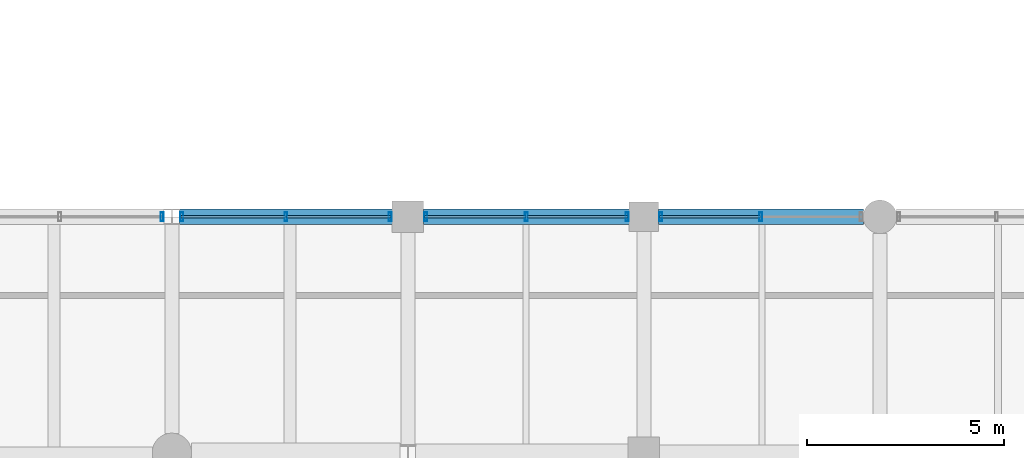
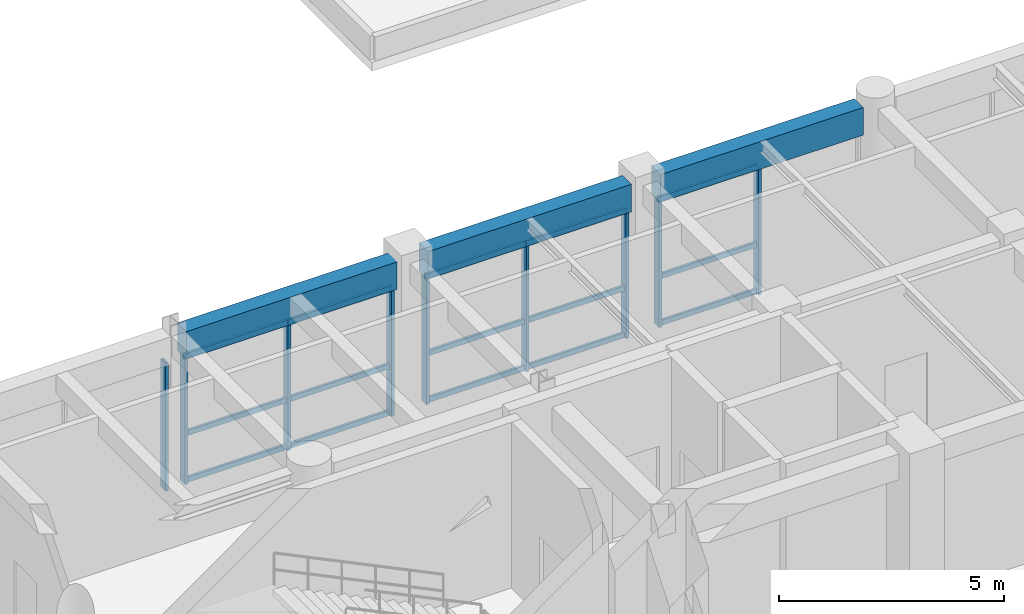
# One storey, part 36 of 133: 24 members, 3 beams, 4 elements without a shape of their own.
"""IFC4 building model written with IfcOpenShell, lengths in metres."""

from ifc_helpers import new_model, si_unit, direction, frame, origin, origin_2d, place, context, subcontext, project, spatial, rectangle, hollow_rectangle, extrude, material, material_profile, profile_set, type_object, element, aggregate, save


model = new_model("IFC4")

# Units and contexts
model_context = context("Model", 3, precision=1e-05, world=origin(), true_north=direction((0.0, 1.0)))
body_context = subcontext(model_context, "Body", "Model", "MODEL_VIEW")
ifc_project = project(units=[si_unit("LENGTHUNIT", "METRE"), si_unit("AREAUNIT", "SQUARE_METRE"), si_unit("VOLUMEUNIT", "CUBIC_METRE"), si_unit("PLANEANGLEUNIT", "RADIAN"), si_unit("MASSUNIT", "GRAM", prefix="KILO"), si_unit("THERMODYNAMICTEMPERATUREUNIT", "KELVIN"), si_unit("POWERUNIT", "WATT")], contexts=[model_context])

# Site, building, storey
site_placement = place(None, origin())
site = spatial("IfcSite", under=ifc_project, at=site_placement, CompositionType="ELEMENT")
building_placement = place(site_placement, origin())
building = spatial("IfcBuilding", under=site, at=building_placement, Name="Phaisarnlok Congress Hotel", CompositionType="ELEMENT")
storey_placement = place(building_placement, frame((0.0, 0.0, 6.0)))
storey = spatial("IfcBuildingStorey", under=building, at=storey_placement, Name="L01", CompositionType="ELEMENT", Elevation=6.0)

# Curtain wall, members
ifc_material_1 = material(Name="Thermally Broken Unitised Aluminium & Low-E Glazing", Category="aluminium")
curtain_wall_type_1 = type_object("IfcCurtainWallType", Name="CW-UNIT-15", PredefinedType="NOTDEFINED", material=ifc_material_1)
curtain_wall_1_placement = place(storey_placement, origin())
curtain_wall_1 = element("IfcCurtainWall", 1, at=curtain_wall_1_placement, inside=storey, type_object=curtain_wall_type_1, Name="Unitised curtain wall CW-15 (L01)", PredefinedType="NOTDEFINED")
ifc_material_2 = material(Name="Anodised Aluminium Alloy 6063-T6", Category="aluminium")
ifc_material_profile_1 = material_profile(ifc_material_2, hollow_rectangle(XDim=0.074951171875, YDim=0.219970703125, WallThickness=0.0048828125, at=origin_2d()), Name="ALU-M 75x220x5")
ifc_profile_set_1 = profile_set([ifc_material_profile_1], Name="Anodised Aluminium Alloy 6063-T6")
member_type_1 = type_object("IfcMemberType", Name="CWM-220", PredefinedType="MULLION", material=ifc_profile_set_1)
member_1_placement = place(storey_placement, frame((62.97509765625, 96.0, 0.0), z_axis=(0.0, 0.0, 1.0), x_axis=(-1.0, 0.0, 0.0)))
member_1 = element("IfcMember", 2, at=member_1_placement, type_object=member_type_1, Name="Curtain wall mullion CWM-02", PredefinedType="MULLION", context=body_context, shape_type="SweptSolid", body=[
    extrude(hollow_rectangle(XDim=0.074951171875, YDim=0.219970703125, WallThickness=0.0048828125, at=origin_2d()), origin(), (0.0, 0.0, 1.0), 3.469970703125),
])
member_2_placement = place(storey_placement, frame((60.425048828125, 96.0, 0.0), z_axis=(0.0, 0.0, 1.0), x_axis=(-1.0, 0.0, 0.0)))
member_2 = element("IfcMember", 3, at=member_2_placement, type_object=member_type_1, Name="Curtain wall mullion CWM-02", PredefinedType="MULLION", context=body_context, shape_type="SweptSolid", body=[
    extrude(hollow_rectangle(XDim=0.074951171875, YDim=0.219970703125, WallThickness=0.0048828125, at=origin_2d()), origin(), (0.0, 0.0, 1.0), 3.469970703125),
])

curtain_wall_2_placement = place(storey_placement, origin())
curtain_wall_2 = element("IfcCurtainWall", 4, at=curtain_wall_2_placement, inside=storey, type_object=curtain_wall_type_1, Name="Unitised curtain wall CW-15 (L01)", PredefinedType="NOTDEFINED")
member_3_placement = place(storey_placement, frame((59.574951171875, 96.0, 0.0), z_axis=(0.0, 0.0, 1.0), x_axis=(-1.0, 0.0, 0.0)))
member_3 = element("IfcMember", 5, at=member_3_placement, type_object=member_type_1, Name="Curtain wall mullion CWM-02", PredefinedType="MULLION", context=body_context, shape_type="SweptSolid", body=[
    extrude(hollow_rectangle(XDim=0.074951171875, YDim=0.219970703125, WallThickness=0.0048828125, at=origin_2d()), origin(), (0.0, 0.0, 1.0), 3.469970703125),
])
member_4_placement = place(storey_placement, frame((57.012451171875, 96.0, 0.0), z_axis=(0.0, 0.0, 1.0), x_axis=(-1.0, 0.0, 0.0)))
member_4 = element("IfcMember", 6, at=member_4_placement, type_object=member_type_1, Name="Curtain wall mullion CWM-02", PredefinedType="MULLION", context=body_context, shape_type="SweptSolid", body=[
    extrude(hollow_rectangle(XDim=0.074951171875, YDim=0.219970703125, WallThickness=0.0048828125, at=origin_2d()), origin(), (0.0, 0.0, 1.0), 3.469970703125),
])
member_5_placement = place(storey_placement, frame((54.449951171875, 96.0, 0.0), z_axis=(0.0, 0.0, 1.0), x_axis=(-1.0, 0.0, 0.0)))
member_5 = element("IfcMember", 7, at=member_5_placement, type_object=member_type_1, Name="Curtain wall mullion CWM-02", PredefinedType="MULLION", context=body_context, shape_type="SweptSolid", body=[
    extrude(hollow_rectangle(XDim=0.074951171875, YDim=0.219970703125, WallThickness=0.0048828125, at=origin_2d()), origin(), (0.0, 0.0, 1.0), 3.469970703125),
])

curtain_wall_type_2 = type_object("IfcCurtainWallType", Name="CW-UNIT-14", PredefinedType="NOTDEFINED", material=ifc_material_1)
curtain_wall_3_placement = place(storey_placement, origin())
curtain_wall_3 = element("IfcCurtainWall", 8, at=curtain_wall_3_placement, inside=storey, type_object=curtain_wall_type_2, Name="Unitised curtain wall CW-14 (L01)", PredefinedType="NOTDEFINED")
member_6_placement = place(storey_placement, frame((53.550048828125, 96.0, 0.0), z_axis=(0.0, 0.0, 1.0), x_axis=(-1.0, 0.0, 0.0)))
member_6 = element("IfcMember", 9, at=member_6_placement, type_object=member_type_1, Name="Curtain wall mullion CWM-02", PredefinedType="MULLION", context=body_context, shape_type="SweptSolid", body=[
    extrude(hollow_rectangle(XDim=0.074951171875, YDim=0.219970703125, WallThickness=0.0048828125, at=origin_2d()), origin(), (0.0, 0.0, 1.0), 3.469970703125),
])
member_7_placement = place(storey_placement, frame((50.900146484375, 96.0, 0.0), z_axis=(0.0, 0.0, 1.0), x_axis=(-1.0, 0.0, 0.0)))
member_7 = element("IfcMember", 10, at=member_7_placement, type_object=member_type_1, Name="Curtain wall mullion CWM-02", PredefinedType="MULLION", context=body_context, shape_type="SweptSolid", body=[
    extrude(hollow_rectangle(XDim=0.074951171875, YDim=0.219970703125, WallThickness=0.0048828125, at=origin_2d()), origin(), (0.0, 0.0, 1.0), 3.469970703125),
])
member_8_placement = place(storey_placement, frame((48.25048828125, 96.0, 0.0), z_axis=(0.0, 0.0, 1.0), x_axis=(-1.0, 0.0, 0.0)))
member_8 = element("IfcMember", 11, at=member_8_placement, type_object=member_type_1, Name="Curtain wall mullion CWM-02", PredefinedType="MULLION", context=body_context, shape_type="SweptSolid", body=[
    extrude(hollow_rectangle(XDim=0.074951171875, YDim=0.219970703125, WallThickness=0.0048828125, at=origin_2d()), origin(), (0.0, 0.0, 1.0), 3.469970703125),
])

# Curtain wall, member
curtain_wall_type_3 = type_object("IfcCurtainWallType", Name="CW-UNIT-13", PredefinedType="NOTDEFINED", material=ifc_material_1)
curtain_wall_4_placement = place(storey_placement, origin())
curtain_wall_4 = element("IfcCurtainWall", 12, at=curtain_wall_4_placement, inside=storey, type_object=curtain_wall_type_3, Name="Unitised curtain wall CW-13 (L01)", PredefinedType="NOTDEFINED")
member_9_placement = place(storey_placement, frame((47.74951171875, 96.0, 0.0), z_axis=(0.0, 0.0, 1.0), x_axis=(-1.0, 0.0, 0.0)))
member_9 = element("IfcMember", 13, at=member_9_placement, type_object=member_type_1, Name="Curtain wall mullion CWM-02", PredefinedType="MULLION", context=body_context, shape_type="SweptSolid", body=[
    extrude(hollow_rectangle(XDim=0.074951171875, YDim=0.219970703125, WallThickness=0.0048828125, at=origin_2d()), origin(), (0.0, 0.0, 1.0), 3.469970703125),
])
aggregate(curtain_wall_4, [member_9])

# Member
ifc_material_profile_2 = material_profile(ifc_material_2, hollow_rectangle(XDim=0.06494140625, YDim=0.139892578125, WallThickness=0.00390625, at=origin_2d()), Name="ALU-T 65x140x4")
ifc_profile_set_2 = profile_set([ifc_material_profile_2], Name="Anodised Aluminium Alloy 6063-T6")
member_type_2 = type_object("IfcMemberType", Name="CWT-150", PredefinedType="USERDEFINED", material=ifc_profile_set_2)
member_10_placement = place(storey_placement, frame((62.9599609375, 96.0, 0.050048828125), z_axis=(-1.0, 0.0, 0.0), x_axis=(0.0, -1.0, 0.0)))
member_10 = element("IfcMember", 14, at=member_10_placement, type_object=member_type_2, Name="Curtain wall transom CWT-01", ObjectType="TRANSOM", PredefinedType="USERDEFINED", context=body_context, shape_type="SweptSolid", body=[
    extrude(hollow_rectangle(XDim=0.06494140625, YDim=0.139892578125, WallThickness=0.00390625, at=origin_2d()), origin(), (0.0, 0.0, 1.0), 2.56005859375),
])

member_11_placement = place(storey_placement, frame((62.9599609375, 96.0, 1.318603515625), z_axis=(-1.0, 0.0, 0.0), x_axis=(0.0, -1.0, 0.0)))
member_11 = element("IfcMember", 15, at=member_11_placement, type_object=member_type_2, Name="Curtain wall transom CWT-01", ObjectType="TRANSOM", PredefinedType="USERDEFINED", context=body_context, shape_type="SweptSolid", body=[
    extrude(hollow_rectangle(XDim=0.06494140625, YDim=0.139892578125, WallThickness=0.00390625, at=origin_2d()), origin(), (0.0, 0.0, 1.0), 2.56005859375),
])

member_12_placement = place(storey_placement, frame((62.9599609375, 96.0, 3.419921875), z_axis=(-1.0, 0.0, 0.0), x_axis=(0.0, -1.0, 0.0)))
member_12 = element("IfcMember", 16, at=member_12_placement, type_object=member_type_2, Name="Curtain wall transom CWT-01", ObjectType="TRANSOM", PredefinedType="USERDEFINED", context=body_context, shape_type="SweptSolid", body=[
    extrude(hollow_rectangle(XDim=0.06494140625, YDim=0.139892578125, WallThickness=0.00390625, at=origin_2d()), origin(), (0.0, 0.0, 1.0), 2.56005859375),
])

aggregate(curtain_wall_1, [member_1, member_2, member_10, member_11, member_12])

member_13_placement = place(storey_placement, frame((59.60009765625, 96.0, 0.050048828125), z_axis=(-1.0, 0.0, 0.0), x_axis=(0.0, -1.0, 0.0)))
member_13 = element("IfcMember", 17, at=member_13_placement, type_object=member_type_2, Name="Curtain wall transom CWT-01", ObjectType="TRANSOM", PredefinedType="USERDEFINED", context=body_context, shape_type="SweptSolid", body=[
    extrude(hollow_rectangle(XDim=0.06494140625, YDim=0.139892578125, WallThickness=0.00390625, at=origin_2d()), origin(), (0.0, 0.0, 1.0), 2.572509765625),
])

member_14_placement = place(storey_placement, frame((59.60009765625, 96.0, 1.318603515625), z_axis=(-1.0, 0.0, 0.0), x_axis=(0.0, -1.0, 0.0)))
member_14 = element("IfcMember", 18, at=member_14_placement, type_object=member_type_2, Name="Curtain wall transom CWT-01", ObjectType="TRANSOM", PredefinedType="USERDEFINED", context=body_context, shape_type="SweptSolid", body=[
    extrude(hollow_rectangle(XDim=0.06494140625, YDim=0.139892578125, WallThickness=0.00390625, at=origin_2d()), origin(), (0.0, 0.0, 1.0), 2.572509765625),
])

member_15_placement = place(storey_placement, frame((59.60009765625, 96.0, 3.419921875), z_axis=(-1.0, 0.0, 0.0), x_axis=(0.0, -1.0, 0.0)))
member_15 = element("IfcMember", 19, at=member_15_placement, type_object=member_type_2, Name="Curtain wall transom CWT-01", ObjectType="TRANSOM", PredefinedType="USERDEFINED", context=body_context, shape_type="SweptSolid", body=[
    extrude(hollow_rectangle(XDim=0.06494140625, YDim=0.139892578125, WallThickness=0.00390625, at=origin_2d()), origin(), (0.0, 0.0, 1.0), 2.572509765625),
])

member_16_placement = place(storey_placement, frame((56.99755859375, 96.0, 0.050048828125), z_axis=(-1.0, 0.0, 0.0), x_axis=(0.0, -1.0, 0.0)))
member_16 = element("IfcMember", 20, at=member_16_placement, type_object=member_type_2, Name="Curtain wall transom CWT-01", ObjectType="TRANSOM", PredefinedType="USERDEFINED", context=body_context, shape_type="SweptSolid", body=[
    extrude(hollow_rectangle(XDim=0.06494140625, YDim=0.139892578125, WallThickness=0.00390625, at=origin_2d()), origin(), (0.0, 0.0, 1.0), 2.572509765625),
])

member_17_placement = place(storey_placement, frame((56.99755859375, 96.0, 1.318603515625), z_axis=(-1.0, 0.0, 0.0), x_axis=(0.0, -1.0, 0.0)))
member_17 = element("IfcMember", 21, at=member_17_placement, type_object=member_type_2, Name="Curtain wall transom CWT-01", ObjectType="TRANSOM", PredefinedType="USERDEFINED", context=body_context, shape_type="SweptSolid", body=[
    extrude(hollow_rectangle(XDim=0.06494140625, YDim=0.139892578125, WallThickness=0.00390625, at=origin_2d()), origin(), (0.0, 0.0, 1.0), 2.572509765625),
])

member_18_placement = place(storey_placement, frame((56.99755859375, 96.0, 3.419921875), z_axis=(-1.0, 0.0, 0.0), x_axis=(0.0, -1.0, 0.0)))
member_18 = element("IfcMember", 22, at=member_18_placement, type_object=member_type_2, Name="Curtain wall transom CWT-01", ObjectType="TRANSOM", PredefinedType="USERDEFINED", context=body_context, shape_type="SweptSolid", body=[
    extrude(hollow_rectangle(XDim=0.06494140625, YDim=0.139892578125, WallThickness=0.00390625, at=origin_2d()), origin(), (0.0, 0.0, 1.0), 2.572509765625),
])

aggregate(curtain_wall_2, [member_3, member_4, member_5, member_13, member_14, member_15, member_16, member_17, member_18])

member_19_placement = place(storey_placement, frame((53.574951171875, 96.0, 0.050048828125), z_axis=(-1.0, 0.0, 0.0), x_axis=(0.0, -1.0, 0.0)))
member_19 = element("IfcMember", 23, at=member_19_placement, type_object=member_type_2, Name="Curtain wall transom CWT-01", ObjectType="TRANSOM", PredefinedType="USERDEFINED", context=body_context, shape_type="SweptSolid", body=[
    extrude(hollow_rectangle(XDim=0.06494140625, YDim=0.139892578125, WallThickness=0.00390625, at=origin_2d()), origin(), (0.0, 0.0, 1.0), 2.65966796875),
])

member_20_placement = place(storey_placement, frame((53.574951171875, 96.0, 1.318603515625), z_axis=(-1.0, 0.0, 0.0), x_axis=(0.0, -1.0, 0.0)))
member_20 = element("IfcMember", 24, at=member_20_placement, type_object=member_type_2, Name="Curtain wall transom CWT-01", ObjectType="TRANSOM", PredefinedType="USERDEFINED", context=body_context, shape_type="SweptSolid", body=[
    extrude(hollow_rectangle(XDim=0.06494140625, YDim=0.139892578125, WallThickness=0.00390625, at=origin_2d()), origin(), (0.0, 0.0, 1.0), 2.65966796875),
])

member_21_placement = place(storey_placement, frame((53.574951171875, 96.0, 3.419921875), z_axis=(-1.0, 0.0, 0.0), x_axis=(0.0, -1.0, 0.0)))
member_21 = element("IfcMember", 25, at=member_21_placement, type_object=member_type_2, Name="Curtain wall transom CWT-01", ObjectType="TRANSOM", PredefinedType="USERDEFINED", context=body_context, shape_type="SweptSolid", body=[
    extrude(hollow_rectangle(XDim=0.06494140625, YDim=0.139892578125, WallThickness=0.00390625, at=origin_2d()), origin(), (0.0, 0.0, 1.0), 2.65966796875),
])

member_22_placement = place(storey_placement, frame((50.88525390625, 96.0, 0.050048828125), z_axis=(-1.0, 0.0, 0.0), x_axis=(0.0, -1.0, 0.0)))
member_22 = element("IfcMember", 26, at=member_22_placement, type_object=member_type_2, Name="Curtain wall transom CWT-01", ObjectType="TRANSOM", PredefinedType="USERDEFINED", context=body_context, shape_type="SweptSolid", body=[
    extrude(hollow_rectangle(XDim=0.06494140625, YDim=0.139892578125, WallThickness=0.00390625, at=origin_2d()), origin(), (0.0, 0.0, 1.0), 2.65966796875),
])

member_23_placement = place(storey_placement, frame((50.88525390625, 96.0, 1.318603515625), z_axis=(-1.0, 0.0, 0.0), x_axis=(0.0, -1.0, 0.0)))
member_23 = element("IfcMember", 27, at=member_23_placement, type_object=member_type_2, Name="Curtain wall transom CWT-01", ObjectType="TRANSOM", PredefinedType="USERDEFINED", context=body_context, shape_type="SweptSolid", body=[
    extrude(hollow_rectangle(XDim=0.06494140625, YDim=0.139892578125, WallThickness=0.00390625, at=origin_2d()), origin(), (0.0, 0.0, 1.0), 2.65966796875),
])

member_24_placement = place(storey_placement, frame((50.88525390625, 96.0, 3.419921875), z_axis=(-1.0, 0.0, 0.0), x_axis=(0.0, -1.0, 0.0)))
member_24 = element("IfcMember", 28, at=member_24_placement, type_object=member_type_2, Name="Curtain wall transom CWT-01", ObjectType="TRANSOM", PredefinedType="USERDEFINED", context=body_context, shape_type="SweptSolid", body=[
    extrude(hollow_rectangle(XDim=0.06494140625, YDim=0.139892578125, WallThickness=0.00390625, at=origin_2d()), origin(), (0.0, 0.0, 1.0), 2.65966796875),
])

aggregate(curtain_wall_3, [member_6, member_7, member_8, member_19, member_20, member_21, member_22, member_23, member_24])

# Beams
ifc_material_3 = material(Name="Concrete C40/50", Category="concrete")
ifc_material_profile_3 = material_profile(ifc_material_3, rectangle(XDim=0.39990234375, YDim=0.75, at=origin_2d()), Name="RC 400x750")
ifc_profile_set_3 = profile_set([ifc_material_profile_3], Name="Concrete C40/50")
beam_type = type_object("IfcBeamType", Name="SP-RC-400x750", PredefinedType="SPANDREL", material=ifc_profile_set_3)
beam_1_placement = place(storey_placement, frame((48.195556640625, 96.0, 3.844970703125), z_axis=(1.0, 0.0, 0.0), x_axis=(0.0, 1.0, 0.0)))
element("IfcBeam", 29, at=beam_1_placement, inside=storey, type_object=beam_type, Name="Beam SP-02", PredefinedType="SPANDREL", context=body_context, shape_type="SweptSolid", body=[
    extrude(rectangle(XDim=0.39990234375, YDim=0.75, at=origin_2d()), origin(), (0.0, 0.0, 1.0), 5.409423828125),
])
beam_2_placement = place(storey_placement, frame((54.39501953125, 96.0, 3.844970703125), z_axis=(1.0, 0.0, 0.0), x_axis=(0.0, 1.0, 0.0)))
element("IfcBeam", 30, at=beam_2_placement, inside=storey, type_object=beam_type, Name="Beam SP-02", PredefinedType="SPANDREL", context=body_context, shape_type="SweptSolid", body=[
    extrude(rectangle(XDim=0.39990234375, YDim=0.75, at=origin_2d()), origin(), (0.0, 0.0, 1.0), 5.23486328125),
])
beam_3_placement = place(storey_placement, frame((60.3701171875, 96.0, 3.844970703125), z_axis=(1.0, 0.0, 0.0), x_axis=(0.0, 1.0, 0.0)))
element("IfcBeam", 31, at=beam_3_placement, inside=storey, type_object=beam_type, Name="Beam SP-02", PredefinedType="SPANDREL", context=body_context, shape_type="SweptSolid", body=[
    extrude(rectangle(XDim=0.39990234375, YDim=0.75, at=origin_2d()), origin(), (0.0, 0.0, 1.0), 5.2099609375),
])

save(model, "model.ifc")
